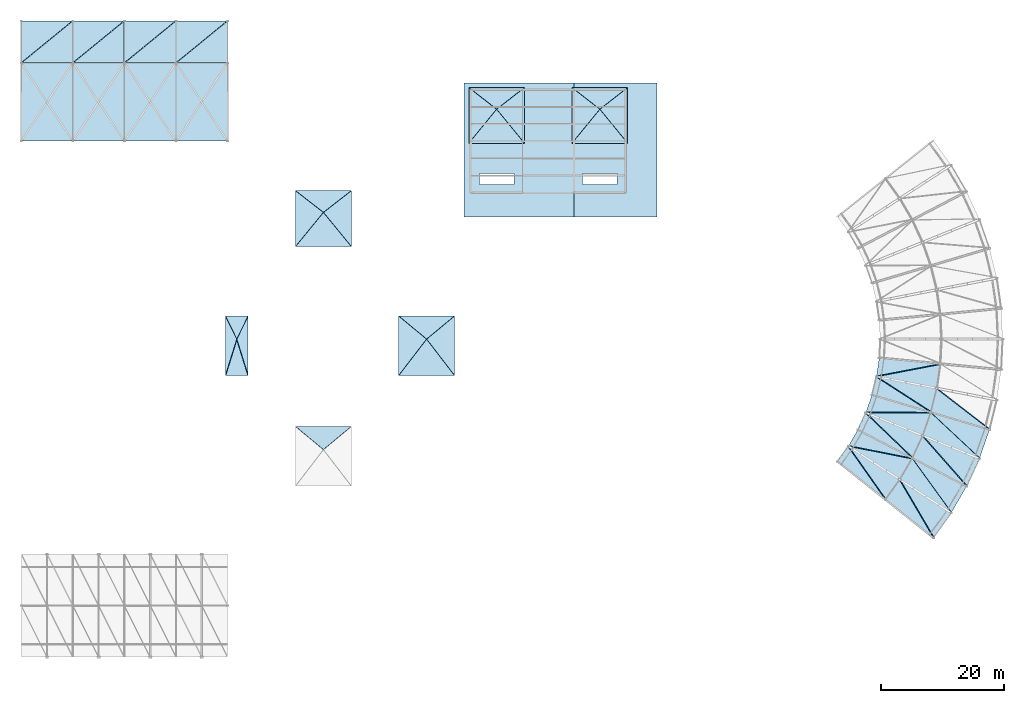
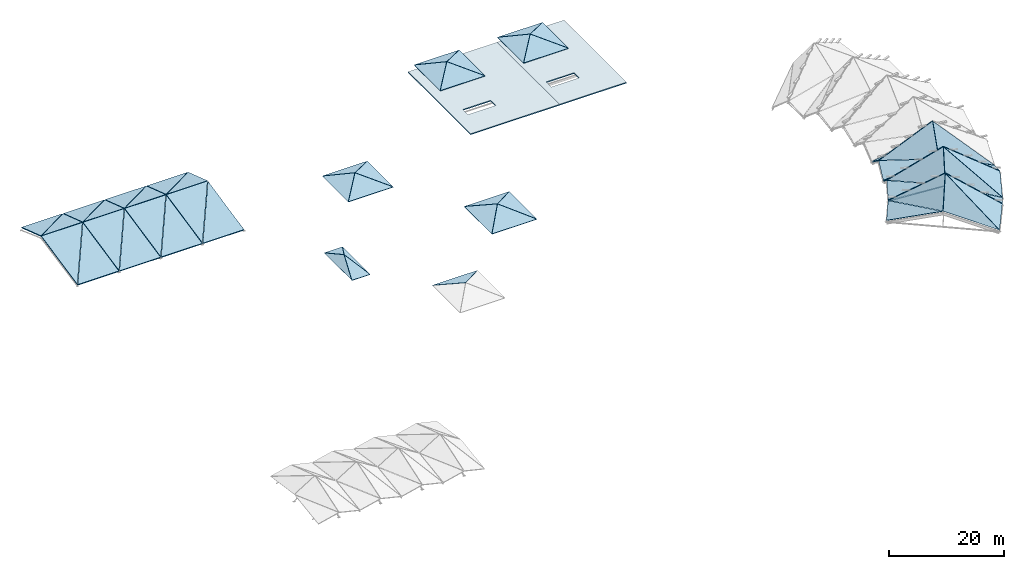
# One storey, part 5 of 10: 60 slabs.
"""IFC4 building model written with IfcOpenShell, lengths in metres."""

from ifc_helpers import new_model, si_unit, direction, frame, origin, place, context, subcontext, project, spatial, polyline, outline, extrude, material, layer, layer_set, type_object, element, save


model = new_model("IFC4")

# Units and contexts
model_context = context("Model", 3, precision=1e-05, world=origin(), true_north=direction((0.0, 1.0)))
body_context = subcontext(model_context, "Body", "Model", "MODEL_VIEW")
ifc_project = project(units=[si_unit("LENGTHUNIT", "METRE"), si_unit("AREAUNIT", "SQUARE_METRE"), si_unit("VOLUMEUNIT", "CUBIC_METRE"), si_unit("PLANEANGLEUNIT", "RADIAN"), si_unit("MASSUNIT", "GRAM", prefix="KILO")], contexts=[model_context])

# Site, building, storey
site_placement = place(None, origin())
site = spatial("IfcSite", under=ifc_project, at=site_placement, CompositionType="ELEMENT")
building_placement = place(site_placement, origin())
building = spatial("IfcBuilding", under=site, at=building_placement, Name="Vanh Quang Courtyard School", CompositionType="ELEMENT")
storey_placement = place(building_placement, frame((0.0, 0.0, 25.800048828125)))
storey = spatial("IfcBuildingStorey", under=building, at=storey_placement, Name="ROOF", CompositionType="ELEMENT", Elevation=25.800048828125)

# Slabs
ifc_material_1 = material(Name="Precast concrete C40/50", Category="concrete")
ifc_layer_1 = layer(ifc_material_1, 0.18994140625)
ifc_layer_set_1 = layer_set([ifc_layer_1], Name="Precast concrete C40/50")
slab_type_1 = type_object("IfcSlabType", Name="SLB-FPR-190", PredefinedType="ROOF", material=ifc_layer_set_1)
slab_1_placement = place(storey_placement, frame((138.8486328125, 38.461181640625, -13.37646484375), z_axis=(-0.700881590222, -0.441790773897, 0.55998741824), x_axis=(0.574187527923, -0.815236088052, 0.075490420017)))
element("IfcSlab", 1, at=slab_1_placement, inside=storey, type_object=slab_type_1, Name="Slab SR-04 (ROOF)", PredefinedType="ROOF", context=body_context, shape_type="SweptSolid", body=[
    extrude(outline(polyline([(0.0, 0.0), (10.500996142205683, -1.1102230246251565e-15), (9.635059550462316, 6.56465550243642), (0.0, 0.0)])), origin(), (0.0, 0.0, -1.0), 0.18994140625),
])
slab_2_placement = place(storey_placement, frame((147.248779296875, 32.9990234375, -7.26513671875), z_axis=(0.203525098116, -0.582476826404, 0.786955069327), x_axis=(0.401016539602, -0.683668606633, -0.609740085012)))
element("IfcSlab", 2, at=slab_2_placement, inside=storey, type_object=slab_type_1, Name="Slab SR-04 (ROOF)", PredefinedType="ROOF", context=body_context, shape_type="SweptSolid", body=[
    extrude(outline(polyline([(0.0, 0.0), (13.62565078624775, -1.1102230246251565e-16), (10.748255259177776, 4.461264059813108), (0.0, 0.0)])), origin(), (0.0, 0.0, -1.0), 0.18994140625),
])
slab_3_placement = place(storey_placement, frame((138.94287109375, 38.6064453125, -13.37646484375), z_axis=(0.118525912674, 0.819971778665, 0.559998116263), x_axis=(0.712781559418, -0.462902821836, 0.526937781991)))
element("IfcSlab", 3, at=slab_3_placement, inside=storey, type_object=slab_type_1, Name="Slab SR-04 (ROOF)", PredefinedType="ROOF", context=body_context, shape_type="SweptSolid", body=[
    extrude(outline(polyline([(0.0, 0.0), (11.658975494766853, -4.440892098500626e-16), (8.678270419461292, 5.912757445616652), (0.0, 0.0)])), origin(), (0.0, 0.0, -1.0), 0.18994140625),
])
slab_4_placement = place(storey_placement, frame((149.3095703125, 36.5302734375, -12.616455078125), z_axis=(0.413027694116, 0.21910353835, 0.883969322644), x_axis=(0.584869688931, -0.80783168445, -0.07304393588)))
element("IfcSlab", 4, at=slab_4_placement, inside=storey, type_object=slab_type_1, Name="Slab SR-04 (ROOF)", PredefinedType="ROOF", context=body_context, shape_type="SweptSolid", body=[
    extrude(outline(polyline([(0.0, 0.0), (10.835997495368268, 4.440892098500626e-16), (9.039863910290002, 4.997165371117097), (0.0, 0.0)])), origin(), (0.0, 0.0, -1.0), 0.18994140625),
])
slab_5_placement = place(storey_placement, frame((141.701904296875, 43.906494140625, -13.37646484375), z_axis=(-0.603719734411, -0.567412053958, 0.559969680702), x_axis=(0.719185332654, -0.690705277294, 0.075489583472)))
element("IfcSlab", 5, at=slab_5_placement, inside=storey, type_object=slab_type_1, Name="Slab SR-04 (ROOF)", PredefinedType="ROOF", context=body_context, shape_type="SweptSolid", body=[
    extrude(outline(polyline([(0.0, 0.0), (10.501112510009039, -5.551115123125783e-16), (9.63512130685168, 6.5645632262325355), (0.0, 0.0)])), origin(), (0.0, 0.0, -1.0), 0.18994140625),
])
slab_6_placement = place(storey_placement, frame((150.989990234375, 40.147216796875, -7.26513671875), z_axis=(0.310918808556, -0.532962963755, 0.786943437454), x_axis=(0.52410309091, -0.594574798827, -0.609751390895)))
element("IfcSlab", 6, at=slab_6_placement, inside=storey, type_object=slab_type_1, Name="Slab SR-04 (ROOF)", PredefinedType="ROOF", context=body_context, shape_type="SweptSolid", body=[
    extrude(outline(polyline([(0.0, 0.0), (13.625398142273319, -2.220446049250313e-16), (10.748234450554643, 4.461286115618591), (0.0, 0.0)])), origin(), (0.0, 0.0, -1.0), 0.18994140625),
])
slab_7_placement = place(storey_placement, frame((141.7666015625, 44.06689453125, -13.37646484375), z_axis=(-0.040119085618, 0.827513546002, 0.560010526822), x_axis=(0.788014193999, -0.318392746061, 0.52693423623)))
element("IfcSlab", 7, at=slab_7_placement, inside=storey, type_object=slab_type_1, Name="Slab SR-04 (ROOF)", PredefinedType="ROOF", context=body_context, shape_type="SweptSolid", body=[
    extrude(outline(polyline([(0.0, 0.0), (11.659053948469895, -4.440892098500626e-16), (8.678333640066274, 5.912834932534518), (0.0, 0.0)])), origin(), (0.0, 0.0, -1.0), 0.18994140625),
])
slab_8_placement = place(storey_placement, frame((152.339111328125, 44.0068359375, -12.616455078125), z_axis=(0.363628879191, 0.293889806214, 0.883969920315), x_axis=(0.728271009756, -0.681385352929, -0.073043392329)))
element("IfcSlab", 8, at=slab_8_placement, inside=storey, type_object=slab_type_1, Name="Slab SR-04 (ROOF)", PredefinedType="ROOF", context=body_context, shape_type="SweptSolid", body=[
    extrude(outline(polyline([(0.0, 0.0), (10.836078131326275, -2.220446049250313e-16), (9.0398004471381, 4.997197498557248), (0.0, 0.0)])), origin(), (0.0, 0.0, -1.0), 0.18994140625),
])
slab_9_placement = place(storey_placement, frame((143.463623046875, 49.7958984375, -13.37646484375), z_axis=(-0.48434413413, -0.672163151778, 0.560006658108), x_axis=(0.837769007639, -0.54078112665, 0.075490813338)))
element("IfcSlab", 9, at=slab_9_placement, inside=storey, type_object=slab_type_1, Name="Slab SR-04 (ROOF)", PredefinedType="ROOF", context=body_context, shape_type="SweptSolid", body=[
    extrude(outline(polyline([(0.0, 0.0), (10.500941430189803, -1.1102230246251565e-16), (9.635217937981341, 6.564740610073416), (0.0, 0.0)])), origin(), (0.0, 0.0, -1.0), 0.18994140625),
])
slab_10_placement = place(storey_placement, frame((143.49658203125, 49.9658203125, -13.37646484375), z_axis=(-0.1972792795, 0.804678686951, 0.559975978633), x_axis=(0.834286140912, -0.16216239239, 0.526944013702)))
element("IfcSlab", 10, at=slab_10_placement, inside=storey, type_object=slab_type_1, Name="Slab SR-04 (ROOF)", PredefinedType="ROOF", context=body_context, shape_type="SweptSolid", body=[
    extrude(outline(polyline([(0.0, 0.0), (11.658837614146396, 8.881784197001252e-16), (8.678458182763876, 5.912864964114334), (0.0, 0.0)])), origin(), (0.0, 0.0, -1.0), 0.18994140625),
])
slab_11_placement = place(storey_placement, frame((4.236083984375, 88.319580078125, -14.374755859375), z_axis=(0.0, -0.207329205121, 0.978271230643), x_axis=(0.542035507525, 0.822095691932, 0.174230255376)))
element("IfcSlab", 11, at=slab_11_placement, inside=storey, type_object=slab_type_1, Name="Slab SR-04 (ROOF)", PredefinedType="ROOF", context=body_context, shape_type="SweptSolid", body=[
    extrude(outline(polyline([(0.0, 0.0), (15.308686326455865, 5.551115123125783e-16), (10.810956143409893, 6.973145900796925), (0.0, 0.0)])), origin(), (0.0, 0.0, -1.0), 0.18994140625),
])
slab_12_placement = place(storey_placement, frame((4.236083984375, 101.014404296875, -11.72509765625), z_axis=(0.0, 0.317893545101, 0.948126412449), x_axis=(0.757670175346, 0.618782996043, -0.207469297003)))
element("IfcSlab", 12, at=slab_12_placement, inside=storey, type_object=slab_type_1, Name="Slab SR-04 (ROOF)", PredefinedType="ROOF", context=body_context, shape_type="SweptSolid", body=[
    extrude(outline(polyline([(0.0, 0.0), (10.910876489692956, -9.992007221626409e-16), (4.647334056247314, 5.395254772826035), (0.0, 0.0)])), origin(), (0.0, 0.0, -1.0), 0.18994140625),
])
slab_13_placement = place(storey_placement, frame((12.635986328125, 88.319580078125, -14.374755859375), z_axis=(0.0, -0.207329205121, 0.978271230643), x_axis=(0.542035507525, 0.822095691932, 0.174230255376)))
element("IfcSlab", 13, at=slab_13_placement, inside=storey, type_object=slab_type_1, Name="Slab SR-04 (ROOF)", PredefinedType="ROOF", context=body_context, shape_type="SweptSolid", body=[
    extrude(outline(polyline([(0.0, 0.0), (15.308686326455865, 5.551115123125783e-16), (10.810956143409893, 6.973145900796925), (0.0, 0.0)])), origin(), (0.0, 0.0, -1.0), 0.18994140625),
])
slab_14_placement = place(storey_placement, frame((12.635986328125, 101.014404296875, -11.72509765625), z_axis=(0.0, 0.317893545101, 0.948126412449), x_axis=(0.757679705801, 0.618772505588, -0.207465779699)))
element("IfcSlab", 14, at=slab_14_placement, inside=storey, type_object=slab_type_1, Name="Slab SR-04 (ROOF)", PredefinedType="ROOF", context=body_context, shape_type="SweptSolid", body=[
    extrude(outline(polyline([(0.0, 0.0), (10.911061468926505, 6.661338147750939e-16), (4.647255268285739, 5.395322637752879), (0.0, 0.0)])), origin(), (0.0, 0.0, -1.0), 0.18994140625),
])
slab_15_placement = place(storey_placement, frame((21.035888671875, 88.319580078125, -14.374755859375), z_axis=(0.0, -0.207329205121, 0.978271230643), x_axis=(0.54204676971, 0.822088585478, 0.174228749274)))
element("IfcSlab", 15, at=slab_15_placement, inside=storey, type_object=slab_type_1, Name="Slab SR-04 (ROOF)", PredefinedType="ROOF", context=body_context, shape_type="SweptSolid", body=[
    extrude(outline(polyline([(0.0, 0.0), (15.308818660718227, 8.326672684688674e-16), (10.810862690091357, 6.973290785886079), (0.0, 0.0)])), origin(), (0.0, 0.0, -1.0), 0.18994140625),
])
slab_16_placement = place(storey_placement, frame((21.035888671875, 101.014404296875, -11.72509765625), z_axis=(0.0, 0.317893545101, 0.948126412449), x_axis=(0.757679705801, 0.618772505588, -0.207465779699)))
element("IfcSlab", 16, at=slab_16_placement, inside=storey, type_object=slab_type_1, Name="Slab SR-04 (ROOF)", PredefinedType="ROOF", context=body_context, shape_type="SweptSolid", body=[
    extrude(outline(polyline([(0.0, 0.0), (10.911061468926505, 6.661338147750939e-16), (4.647255268285739, 5.395322637752879), (0.0, 0.0)])), origin(), (0.0, 0.0, -1.0), 0.18994140625),
])
slab_17_placement = place(storey_placement, frame((29.43603515625, 88.319580078125, -14.374755859375), z_axis=(0.0, -0.207329205121, 0.978271230643), x_axis=(0.542035507525, 0.822095691932, 0.174230255376)))
element("IfcSlab", 17, at=slab_17_placement, inside=storey, type_object=slab_type_1, Name="Slab SR-04 (ROOF)", PredefinedType="ROOF", context=body_context, shape_type="SweptSolid", body=[
    extrude(outline(polyline([(0.0, 0.0), (15.308686326455865, 5.551115123125783e-16), (10.810956143409893, 6.973145900796925), (0.0, 0.0)])), origin(), (0.0, 0.0, -1.0), 0.18994140625),
])
slab_18_placement = place(storey_placement, frame((29.43603515625, 101.014404296875, -11.72509765625), z_axis=(0.0, 0.317893545101, 0.948126412449), x_axis=(0.757670175346, 0.618782996043, -0.207469297003)))
element("IfcSlab", 18, at=slab_18_placement, inside=storey, type_object=slab_type_1, Name="Slab SR-04 (ROOF)", PredefinedType="ROOF", context=body_context, shape_type="SweptSolid", body=[
    extrude(outline(polyline([(0.0, 0.0), (10.910876489692956, -9.992007221626409e-16), (4.647334056247314, 5.395254772826035), (0.0, 0.0)])), origin(), (0.0, 0.0, -1.0), 0.18994140625),
])
ifc_layer_2 = layer(ifc_material_1, 0.199951171875)
ifc_layer_set_2 = layer_set([ifc_layer_2], Name="Precast concrete C40/50")
slab_type_2 = type_object("IfcSlabType", Name="SLB-FPR-200", PredefinedType="ROOF", material=ifc_layer_set_2)
slab_19_placement = place(storey_placement, frame((137.084228515625, 36.097900390625, -15.58056640625), z_axis=(-0.546800389854, -0.313203257226, 0.776474760258), x_axis=(0.749596913934, -0.596261646476, 0.287361297956)))
element("IfcSlab", 19, at=slab_19_placement, inside=storey, type_object=slab_type_2, Name="Slab SR-03 (ROOF)", PredefinedType="ROOF", context=body_context, shape_type="SweptSolid", body=[
    extrude(outline(polyline([(0.0, 0.0), (10.291989743545262, 2.220446049250313e-16), (0.4905619929686039, 3.6157064601428672), (0.0, 0.0)])), origin(), (0.0, 0.0, -1.0), 0.199951171875),
])
slab_20_placement = place(storey_placement, frame((144.908203125, 29.868896484375, -12.588134765625), z_axis=(-0.356692808077, -0.729606111029, 0.583476789097), x_axis=(0.749599965085, -0.596264109376, -0.287348228139)))
element("IfcSlab", 20, at=slab_20_placement, inside=storey, type_object=slab_type_2, Name="Slab SR-03 (ROOF)", PredefinedType="ROOF", context=body_context, shape_type="SweptSolid", body=[
    extrude(outline(polyline([(0.0, 0.0), (10.334939532206887, -4.440892098500626e-16), (-1.712720802013109, 6.389334266652474), (0.0, 0.0)])), origin(), (0.0, 0.0, -1.0), 0.199951171875),
])
slab_21_placement = place(storey_placement, frame((138.907958984375, 38.643310546875, -13.411865234375), z_axis=(0.063730031651, 0.626935766953, 0.77645993276), x_axis=(0.978296566414, -0.192962465933, 0.075507051887)))
element("IfcSlab", 21, at=slab_21_placement, inside=storey, type_object=slab_type_2, Name="Slab SR-03 (ROOF)", PredefinedType="ROOF", context=body_context, shape_type="SweptSolid", body=[
    extrude(outline(polyline([(0.0, 0.0), (10.446949518812612, 1.6653345369377348e-16), (0.7909547766071907, 3.561907041130726), (0.0, 0.0)])), origin(), (0.0, 0.0, -1.0), 0.199951171875),
])
slab_22_placement = place(storey_placement, frame((147.28759765625, 33.186767578125, -7.232177734375), z_axis=(0.701282489104, 0.458378320352, 0.545978191788), x_axis=(0.712795651011, -0.46288586102, -0.526933619698)))
element("IfcSlab", 22, at=slab_22_placement, inside=storey, type_object=slab_type_2, Name="Slab SR-03 (ROOF)", PredefinedType="ROOF", context=body_context, shape_type="SweptSolid", body=[
    extrude(outline(polyline([(0.0, 0.0), (11.660457559906558, -8.881784197001252e-16), (2.6589134986472747, 6.065140179348427), (0.0, 0.0)])), origin(), (0.0, 0.0, -1.0), 0.199951171875),
])
slab_23_placement = place(storey_placement, frame((140.4208984375, 41.25, -15.58056640625), z_axis=(-0.476990531407, -0.411780546357, 0.776477182272), x_axis=(0.849596055721, -0.44228050198, 0.287357790345)))
element("IfcSlab", 23, at=slab_23_placement, inside=storey, type_object=slab_type_2, Name="Slab SR-03 (ROOF)", PredefinedType="ROOF", context=body_context, shape_type="SweptSolid", body=[
    extrude(outline(polyline([(0.0, 0.0), (10.292115371912347, -2.220446049250313e-16), (0.49064707310085265, 3.6156759663226774), (0.0, 0.0)])), origin(), (0.0, 0.0, -1.0), 0.199951171875),
])
slab_24_placement = place(storey_placement, frame((149.289794921875, 36.628173828125, -12.588134765625), z_axis=(-0.210919470335, -0.784267329967, 0.583470420999), x_axis=(0.849603364383, -0.442270935298, -0.287350905724)))
element("IfcSlab", 24, at=slab_24_placement, inside=storey, type_object=slab_type_2, Name="Slab SR-03 (ROOF)", PredefinedType="ROOF", context=body_context, shape_type="SweptSolid", body=[
    extrude(outline(polyline([(0.0, 0.0), (10.334843229466802, 0.0), (-1.7129412660061025, 6.389212204363398), (0.0, 0.0)])), origin(), (0.0, 0.0, -1.0), 0.199951171875),
])
slab_25_placement = place(storey_placement, frame((141.725341796875, 44.096435546875, -13.411865234375), z_axis=(-0.057076193532, 0.627572322993, 0.776463320155), x_axis=(0.997141467197, -0.002734263421, 0.07550773602)))
element("IfcSlab", 25, at=slab_25_placement, inside=storey, type_object=slab_type_2, Name="Slab SR-03 (ROOF)", PredefinedType="ROOF", context=body_context, shape_type="SweptSolid", body=[
    extrude(outline(polyline([(0.0, 0.0), (10.446854864814837, 5.551115123125783e-17), (0.7909988063795491, 3.5619376257041475), (0.0, 0.0)])), origin(), (0.0, 0.0, -1.0), 0.199951171875),
])
slab_26_placement = place(storey_placement, frame((150.9921875, 40.339111328125, -7.232177734375), z_axis=(0.600937266291, 0.583756678712, 0.545987675723), x_axis=(0.788022538988, -0.318374756964, -0.52693262584)))
element("IfcSlab", 26, at=slab_26_placement, inside=storey, type_object=slab_type_2, Name="Slab SR-03 (ROOF)", PredefinedType="ROOF", context=body_context, shape_type="SweptSolid", body=[
    extrude(outline(polyline([(0.0, 0.0), (11.660479552932216, -8.881784197001252e-16), (2.658919765104662, 6.065205707781914), (0.0, 0.0)])), origin(), (0.0, 0.0, -1.0), 0.199951171875),
])
slab_27_placement = place(storey_placement, frame((142.712890625, 46.94384765625, -15.58056640625), z_axis=(-0.389632655229, -0.495187135537, 0.776515353858), x_axis=(0.918387631399, -0.272010305022, 0.287357882187)))
element("IfcSlab", 27, at=slab_27_placement, inside=storey, type_object=slab_type_2, Name="Slab SR-03 (ROOF)", PredefinedType="ROOF", context=body_context, shape_type="SweptSolid", body=[
    extrude(outline(polyline([(0.0, 0.0), (10.292112082458, -6.661338147750939e-16), (0.4910545663561212, 3.6158081699559155), (0.0, 0.0)])), origin(), (0.0, 0.0, -1.0), 0.199951171875),
])
slab_28_placement = place(storey_placement, frame((152.30078125, 44.099365234375, -12.588134765625), z_axis=(-0.057409531832, -0.810106297214, 0.583465451307), x_axis=(0.918382216579, -0.272039756312, -0.287347307726)))
element("IfcSlab", 28, at=slab_28_placement, inside=storey, type_object=slab_type_2, Name="Slab SR-03 (ROOF)", PredefinedType="ROOF", context=body_context, shape_type="SweptSolid", body=[
    extrude(outline(polyline([(0.0, 0.0), (10.334972636426995, -4.440892098500626e-16), (-1.7127631728128527, 6.389244131169068), (0.0, 0.0)])), origin(), (0.0, 0.0, -1.0), 0.199951171875),
])
slab_29_placement = place(storey_placement, frame((143.450439453125, 49.987060546875, -13.411865234375), z_axis=(-0.175762446337, 0.605146002618, 0.776470139782), x_axis=(0.979345995196, 0.187563675697, 0.075506882155)))
element("IfcSlab", 29, at=slab_29_placement, inside=storey, type_object=slab_type_2, Name="Slab SR-03 (ROOF)", PredefinedType="ROOF", context=body_context, shape_type="SweptSolid", body=[
    extrude(outline(polyline([(0.0, 0.0), (10.446973002456495, 2.220446049250313e-16), (0.7910420492358401, 3.5619893681336308), (0.0, 0.0)])), origin(), (0.0, 0.0, -1.0), 0.199951171875),
])
slab_30_placement = place(storey_placement, frame((4.26611328125, 88.235107421875, -14.392578125), z_axis=(0.0, -0.207329205121, 0.978271230643), x_axis=(1.0, 0.0, 0.0)))
element("IfcSlab", 30, at=slab_30_placement, inside=storey, type_object=slab_type_2, Name="Slab SR-03 (ROOF)", PredefinedType="ROOF", context=body_context, shape_type="SweptSolid", body=[
    extrude(outline(polyline([(0.0, 0.0), (8.2978515625, 0.0), (8.2978515625, 12.86474004745269), (0.0, 0.0)])), origin(), (0.0, 0.0, -1.0), 0.199951171875),
])
slab_31_placement = place(storey_placement, frame((4.297119140625, 100.97412109375, -11.71142578125), z_axis=(0.0, 0.317893545101, 0.948126412449), x_axis=(1.0, 0.0, 0.0)))
element("IfcSlab", 31, at=slab_31_placement, inside=storey, type_object=slab_type_2, Name="Slab SR-03 (ROOF)", PredefinedType="ROOF", context=body_context, shape_type="SweptSolid", body=[
    extrude(outline(polyline([(0.0, 0.0), (8.266845703125, 0.0), (8.266845703125, 7.120848818368371), (0.0, 0.0)])), origin(), (0.0, 0.0, -1.0), 0.199951171875),
])
slab_32_placement = place(storey_placement, frame((12.666015625, 88.235107421875, -14.392578125), z_axis=(0.0, -0.207329205121, 0.978271230643), x_axis=(1.0, 0.0, 0.0)))
element("IfcSlab", 32, at=slab_32_placement, inside=storey, type_object=slab_type_2, Name="Slab SR-03 (ROOF)", PredefinedType="ROOF", context=body_context, shape_type="SweptSolid", body=[
    extrude(outline(polyline([(0.0, 0.0), (8.298095703125, 0.0), (8.298095703125, 12.86474004745269), (0.0, 0.0)])), origin(), (0.0, 0.0, -1.0), 0.199951171875),
])
slab_33_placement = place(storey_placement, frame((12.697021484375, 100.97412109375, -11.71142578125), z_axis=(0.0, 0.317893545101, 0.948126412449), x_axis=(1.0, 0.0, 0.0)))
element("IfcSlab", 33, at=slab_33_placement, inside=storey, type_object=slab_type_2, Name="Slab SR-03 (ROOF)", PredefinedType="ROOF", context=body_context, shape_type="SweptSolid", body=[
    extrude(outline(polyline([(0.0, 0.0), (8.26708984375, 0.0), (8.26708984375, 7.120848818368371), (0.0, 0.0)])), origin(), (0.0, 0.0, -1.0), 0.199951171875),
])
slab_34_placement = place(storey_placement, frame((21.066162109375, 88.235107421875, -14.392578125), z_axis=(0.0, -0.207329205121, 0.978271230643), x_axis=(1.0, 0.0, 0.0)))
element("IfcSlab", 34, at=slab_34_placement, inside=storey, type_object=slab_type_2, Name="Slab SR-03 (ROOF)", PredefinedType="ROOF", context=body_context, shape_type="SweptSolid", body=[
    extrude(outline(polyline([(0.0, 0.0), (8.2978515625, 0.0), (8.2978515625, 12.86474004745269), (0.0, 0.0)])), origin(), (0.0, 0.0, -1.0), 0.199951171875),
])
slab_35_placement = place(storey_placement, frame((21.096923828125, 100.97412109375, -11.71142578125), z_axis=(0.0, 0.317893545101, 0.948126412449), x_axis=(1.0, 0.0, 0.0)))
element("IfcSlab", 35, at=slab_35_placement, inside=storey, type_object=slab_type_2, Name="Slab SR-03 (ROOF)", PredefinedType="ROOF", context=body_context, shape_type="SweptSolid", body=[
    extrude(outline(polyline([(0.0, 0.0), (8.26708984375, 0.0), (8.26708984375, 7.120848818368371), (0.0, 0.0)])), origin(), (0.0, 0.0, -1.0), 0.199951171875),
])
slab_36_placement = place(storey_placement, frame((29.466064453125, 88.235107421875, -14.392578125), z_axis=(0.0, -0.207329205121, 0.978271230643), x_axis=(1.0, 0.0, 0.0)))
element("IfcSlab", 36, at=slab_36_placement, inside=storey, type_object=slab_type_2, Name="Slab SR-03 (ROOF)", PredefinedType="ROOF", context=body_context, shape_type="SweptSolid", body=[
    extrude(outline(polyline([(0.0, 0.0), (8.2978515625, 0.0), (8.2978515625, 12.86474004745269), (0.0, 0.0)])), origin(), (0.0, 0.0, -1.0), 0.199951171875),
])
slab_37_placement = place(storey_placement, frame((29.4970703125, 100.97412109375, -11.71142578125), z_axis=(0.0, 0.317893545101, 0.948126412449), x_axis=(1.0, 0.0, 0.0)))
element("IfcSlab", 37, at=slab_37_placement, inside=storey, type_object=slab_type_2, Name="Slab SR-03 (ROOF)", PredefinedType="ROOF", context=body_context, shape_type="SweptSolid", body=[
    extrude(outline(polyline([(0.0, 0.0), (8.266845703125, 0.0), (8.266845703125, 7.120848818368371), (0.0, 0.0)])), origin(), (0.0, 0.0, -1.0), 0.199951171875),
])
ifc_material_2 = material(Name="Concrete C35/45", Category="concrete")
ifc_layer_3 = layer(ifc_material_2, 0.114990234375)
ifc_layer_set_3 = layer_set([ifc_layer_3], Name="Concrete C35/45")
slab_type_3 = type_object("IfcSlabType", Name="SLB-MON-180", PredefinedType="ROOF", material=ifc_layer_set_3)
slab_38_placement = place(storey_placement, frame((77.074951171875, 87.86181640625, 1.652587890625), z_axis=(0.0, -0.219430161044, 0.975628210142), x_axis=(1.0, 0.0, 0.0)))
element("IfcSlab", 38, at=slab_38_placement, inside=storey, type_object=slab_type_3, Name="Slab SR-02 (ROOF)", PredefinedType="ROOF", context=body_context, shape_type="SweptSolid", body=[
    extrude(outline(polyline([(0.0, 0.0), (9.050048828125, 0.0), (4.525146484375, 5.6654201800886375), (0.0, 0.0)])), origin(), (0.0, 0.0, -1.0), 0.114990234375),
])
slab_39_placement = place(storey_placement, frame((86.138427734375, 87.8828125, 1.653076171875), z_axis=(0.264901145802, 0.0, 0.964275574176), x_axis=(0.0, 1.0, 0.0)))
element("IfcSlab", 39, at=slab_39_placement, inside=storey, type_object=slab_type_3, Name="Slab SR-02 (ROOF)", PredefinedType="ROOF", context=body_context, shape_type="SweptSolid", body=[
    extrude(outline(polyline([(0.0, 0.0), (9.043212890625, 0.0), (5.523193359375, 4.689249252723992), (0.0, 0.0)])), origin(), (0.0, 0.0, -1.0), 0.114990234375),
])
slab_40_placement = place(storey_placement, frame((86.11669921875, 96.938720703125, 1.654052734375), z_axis=(0.0, 0.332758467104, 0.943012090363), x_axis=(-1.0, 0.0, 0.0)))
element("IfcSlab", 40, at=slab_40_placement, inside=storey, type_object=slab_type_3, Name="Slab SR-02 (ROOF)", PredefinedType="ROOF", context=body_context, shape_type="SweptSolid", body=[
    extrude(outline(polyline([(0.0, 0.0), (9.033203125, 0.0), (4.5166015625, 3.728598304499252), (0.0, 0.0)])), origin(), (0.0, 0.0, -1.0), 0.114990234375),
])
slab_41_placement = place(storey_placement, frame((77.0615234375, 96.926025390625, 1.653076171875), z_axis=(-0.264901145802, 0.0, 0.964275574176), x_axis=(0.0, -1.0, 0.0)))
element("IfcSlab", 41, at=slab_41_placement, inside=storey, type_object=slab_type_3, Name="Slab SR-02 (ROOF)", PredefinedType="ROOF", context=body_context, shape_type="SweptSolid", body=[
    extrude(outline(polyline([(0.0, 0.0), (9.043212890625, 0.0), (3.52001953125, 4.689249252723992), (0.0, 0.0)])), origin(), (0.0, 0.0, -1.0), 0.114990234375),
])
slab_42_placement = place(storey_placement, frame((93.875, 87.86181640625, 1.652587890625), z_axis=(0.0, -0.219430161044, 0.975628210142), x_axis=(1.0, 0.0, 0.0)))
element("IfcSlab", 42, at=slab_42_placement, inside=storey, type_object=slab_type_3, Name="Slab SR-02 (ROOF)", PredefinedType="ROOF", context=body_context, shape_type="SweptSolid", body=[
    extrude(outline(polyline([(0.0, 0.0), (9.050048828125, 0.0), (4.52490234375, 5.6654201800886375), (0.0, 0.0)])), origin(), (0.0, 0.0, -1.0), 0.114990234375),
])
slab_43_placement = place(storey_placement, frame((102.9384765625, 87.8828125, 1.653076171875), z_axis=(0.264901145802, 0.0, 0.964275574176), x_axis=(0.0, 1.0, 0.0)))
element("IfcSlab", 43, at=slab_43_placement, inside=storey, type_object=slab_type_3, Name="Slab SR-02 (ROOF)", PredefinedType="ROOF", context=body_context, shape_type="SweptSolid", body=[
    extrude(outline(polyline([(0.0, 0.0), (9.043212890625, 0.0), (5.523193359375, 4.689249252723992), (0.0, 0.0)])), origin(), (0.0, 0.0, -1.0), 0.114990234375),
])
slab_44_placement = place(storey_placement, frame((102.91650390625, 96.938720703125, 1.654052734375), z_axis=(0.0, 0.332758467104, 0.943012090363), x_axis=(-1.0, 0.0, 0.0)))
element("IfcSlab", 44, at=slab_44_placement, inside=storey, type_object=slab_type_3, Name="Slab SR-02 (ROOF)", PredefinedType="ROOF", context=body_context, shape_type="SweptSolid", body=[
    extrude(outline(polyline([(0.0, 0.0), (9.033203125, 0.0), (4.5166015625, 3.728598304499252), (0.0, 0.0)])), origin(), (0.0, 0.0, -1.0), 0.114990234375),
])
slab_45_placement = place(storey_placement, frame((93.861572265625, 96.926025390625, 1.653076171875), z_axis=(-0.264901145802, 0.0, 0.964275574176), x_axis=(0.0, -1.0, 0.0)))
element("IfcSlab", 45, at=slab_45_placement, inside=storey, type_object=slab_type_3, Name="Slab SR-02 (ROOF)", PredefinedType="ROOF", context=body_context, shape_type="SweptSolid", body=[
    extrude(outline(polyline([(0.0, 0.0), (9.043212890625, 0.0), (3.52001953125, 4.689249252723992), (0.0, 0.0)])), origin(), (0.0, 0.0, -1.0), 0.114990234375),
])
slab_46_placement = place(storey_placement, frame((48.875, 71.061767578125, -1.947509765625), z_axis=(0.0, -0.219430161044, 0.975628210142), x_axis=(1.0, 0.0, 0.0)))
element("IfcSlab", 46, at=slab_46_placement, inside=storey, type_object=slab_type_3, Name="Slab SR-02 (ROOF)", PredefinedType="ROOF", context=body_context, shape_type="SweptSolid", body=[
    extrude(outline(polyline([(0.0, 0.0), (9.050048828125, 0.0), (4.52490234375, 5.6654201800886375), (0.0, 0.0)])), origin(), (0.0, 0.0, -1.0), 0.114990234375),
])
slab_47_placement = place(storey_placement, frame((57.9384765625, 71.082763671875, -1.94677734375), z_axis=(0.264901145802, 0.0, 0.964275574176), x_axis=(0.0, 1.0, 0.0)))
element("IfcSlab", 47, at=slab_47_placement, inside=storey, type_object=slab_type_3, Name="Slab SR-02 (ROOF)", PredefinedType="ROOF", context=body_context, shape_type="SweptSolid", body=[
    extrude(outline(polyline([(0.0, 0.0), (9.043212890625, 0.0), (5.5234375, 4.689249252723992), (0.0, 0.0)])), origin(), (0.0, 0.0, -1.0), 0.114990234375),
])
slab_48_placement = place(storey_placement, frame((57.91650390625, 80.138671875, -1.946044921875), z_axis=(0.0, 0.332779014934, 0.943004839446), x_axis=(-1.0, 0.0, 0.0)))
element("IfcSlab", 48, at=slab_48_placement, inside=storey, type_object=slab_type_3, Name="Slab SR-02 (ROOF)", PredefinedType="ROOF", context=body_context, shape_type="SweptSolid", body=[
    extrude(outline(polyline([(0.0, 0.0), (9.033203125, 0.0), (4.5166015625, 3.728368077823222), (0.0, 0.0)])), origin(), (0.0, 0.0, -1.0), 0.114990234375),
])
slab_49_placement = place(storey_placement, frame((48.861572265625, 80.1259765625, -1.94677734375), z_axis=(-0.264901145802, 0.0, 0.964275574176), x_axis=(0.0, -1.0, 0.0)))
element("IfcSlab", 49, at=slab_49_placement, inside=storey, type_object=slab_type_3, Name="Slab SR-02 (ROOF)", PredefinedType="ROOF", context=body_context, shape_type="SweptSolid", body=[
    extrude(outline(polyline([(0.0, 0.0), (9.043212890625, 0.0), (3.519775390625, 4.689249252723992), (0.0, 0.0)])), origin(), (0.0, 0.0, -1.0), 0.114990234375),
])
slab_50_placement = place(storey_placement, frame((57.91796875, 41.738525390625, -1.9462890625), z_axis=(0.0, 0.314723086215, 0.949183532834), x_axis=(-1.0, 0.0, 0.0)))
element("IfcSlab", 50, at=slab_50_placement, inside=storey, type_object=slab_type_3, Name="Slab SR-02 (ROOF)", PredefinedType="ROOF", context=body_context, shape_type="SweptSolid", body=[
    extrude(outline(polyline([(0.0, 0.0), (9.035888671875, 0.0), (4.51806640625, 3.94381915997592), (0.0, 0.0)])), origin(), (0.0, 0.0, -1.0), 0.114990234375),
])
slab_51_placement = place(storey_placement, frame((37.46630859375, 50.061767578125, -1.947509765625), z_axis=(0.0, -0.206258315378, 0.978497576562), x_axis=(1.0, 0.0, 0.0)))
element("IfcSlab", 51, at=slab_51_placement, inside=storey, type_object=slab_type_3, Name="Slab SR-02 (ROOF)", PredefinedType="ROOF", context=body_context, shape_type="SweptSolid", body=[
    extrude(outline(polyline([(0.0, 0.0), (3.66748046875, 0.0), (1.833740234375, 6.007096827110998), (0.0, 0.0)])), origin(), (0.0, 0.0, -1.0), 0.114990234375),
])
slab_52_placement = place(storey_placement, frame((41.14013671875, 50.115966796875, -1.943359375), z_axis=(0.559845097942, 0.0, 0.82859728838), x_axis=(0.0, 1.0, 0.0)))
element("IfcSlab", 52, at=slab_52_placement, inside=storey, type_object=slab_type_3, Name="Slab SR-02 (ROOF)", PredefinedType="ROOF", context=body_context, shape_type="SweptSolid", body=[
    extrude(outline(polyline([(0.0, 0.0), (9.59033203125, 0.0), (5.86279296875, 2.2074674732235504), (0.0, 0.0)])), origin(), (0.0, 0.0, -1.0), 0.114990234375),
])
slab_53_placement = place(storey_placement, frame((41.131103515625, 59.738525390625, -1.9462890625), z_axis=(0.0, 0.314736908926, 0.949178949492), x_axis=(-1.0, 0.0, 0.0)))
element("IfcSlab", 53, at=slab_53_placement, inside=storey, type_object=slab_type_3, Name="Slab SR-02 (ROOF)", PredefinedType="ROOF", context=body_context, shape_type="SweptSolid", body=[
    extrude(outline(polyline([(0.0, 0.0), (3.662353515625, 0.0), (1.8310546875, 3.931234794550905), (0.0, 0.0)])), origin(), (0.0, 0.0, -1.0), 0.114990234375),
])
slab_54_placement = place(storey_placement, frame((37.4599609375, 59.706298828125, -1.943359375), z_axis=(-0.559845097942, 0.0, 0.82859728838), x_axis=(0.0, -1.0, 0.0)))
element("IfcSlab", 54, at=slab_54_placement, inside=storey, type_object=slab_type_3, Name="Slab SR-02 (ROOF)", PredefinedType="ROOF", context=body_context, shape_type="SweptSolid", body=[
    extrude(outline(polyline([(0.0, 0.0), (9.59033203125, 0.0), (3.7275390625, 2.2074674732235504), (0.0, 0.0)])), origin(), (0.0, 0.0, -1.0), 0.114990234375),
])
slab_55_placement = place(storey_placement, frame((65.674072265625, 50.061767578125, -1.947509765625), z_axis=(0.0, -0.206261525244, 0.978496899946), x_axis=(1.0, 0.0, 0.0)))
element("IfcSlab", 55, at=slab_55_placement, inside=storey, type_object=slab_type_3, Name="Slab SR-02 (ROOF)", PredefinedType="ROOF", context=body_context, shape_type="SweptSolid", body=[
    extrude(outline(polyline([(0.0, 0.0), (9.052001953125, 0.0), (4.52587890625, 6.028308971597672), (0.0, 0.0)])), origin(), (0.0, 0.0, -1.0), 0.114990234375),
])
slab_56_placement = place(storey_placement, frame((74.73828125, 50.08447265625, -1.94677734375), z_axis=(0.264887847361, 0.0, 0.964279227361), x_axis=(0.0, 1.0, 0.0)))
element("IfcSlab", 56, at=slab_56_placement, inside=storey, type_object=slab_type_3, Name="Slab SR-02 (ROOF)", PredefinedType="ROOF", context=body_context, shape_type="SweptSolid", body=[
    extrude(outline(polyline([(0.0, 0.0), (9.640625, 0.0), (5.8935546875, 4.6894846720113), (0.0, 0.0)])), origin(), (0.0, 0.0, -1.0), 0.114990234375),
])
slab_57_placement = place(storey_placement, frame((74.718017578125, 59.738525390625, -1.9462890625), z_axis=(0.0, 0.314723086215, 0.949183532834), x_axis=(-1.0, 0.0, 0.0)))
element("IfcSlab", 57, at=slab_57_placement, inside=storey, type_object=slab_type_3, Name="Slab SR-02 (ROOF)", PredefinedType="ROOF", context=body_context, shape_type="SweptSolid", body=[
    extrude(outline(polyline([(0.0, 0.0), (9.0361328125, 0.0), (4.51806640625, 3.9438191599759196), (0.0, 0.0)])), origin(), (0.0, 0.0, -1.0), 0.114990234375),
])
slab_58_placement = place(storey_placement, frame((65.66162109375, 59.72509765625, -1.94677734375), z_axis=(-0.264874550204, 0.0, 0.964282879997), x_axis=(0.0, -1.0, 0.0)))
element("IfcSlab", 58, at=slab_58_placement, inside=storey, type_object=slab_type_3, Name="Slab SR-02 (ROOF)", PredefinedType="ROOF", context=body_context, shape_type="SweptSolid", body=[
    extrude(outline(polyline([(0.0, 0.0), (9.640625, 0.0), (3.7470703125, 4.689720092190432), (0.0, 0.0)])), origin(), (0.0, 0.0, -1.0), 0.114990234375),
])
ifc_layer_4 = layer(ifc_material_2, 0.219970703125)
ifc_layer_set_4 = layer_set([ifc_layer_4], Name="Concrete C35/45")
slab_type_4 = type_object("IfcSlabType", Name="SLB-ROOF-220", PredefinedType="ROOF", material=ifc_layer_set_4)
slab_59_placement = place(storey_placement, frame((0.0, 0.0, -0.219970703125)))
element("IfcSlab", 59, at=slab_59_placement, inside=storey, type_object=slab_type_4, Name="Slab SR-01 (ROOF)", PredefinedType="ROOF", context=body_context, shape_type="SweptSolid", body=[
    extrude(outline(polyline([(94.199951171875, 75.89990234375), (94.199951171875, 97.699951171875), (76.300048828125, 97.699951171875), (76.300048828125, 75.89990234375), (94.199951171875, 75.89990234375)]), holes=[polyline([(78.780029296875, 81.179931640625), (78.780029296875, 82.97998046875), (84.419921875, 82.97998046875), (84.419921875, 81.179931640625), (78.780029296875, 81.179931640625)])]), origin(), (0.0, 0.0, 1.0), 0.219970703125),
])
slab_60_placement = place(storey_placement, frame((0.0, 0.0, -0.219970703125)))
element("IfcSlab", 60, at=slab_60_placement, inside=storey, type_object=slab_type_4, Name="Slab SR-01 (ROOF)", PredefinedType="ROOF", context=body_context, shape_type="SweptSolid", body=[
    extrude(outline(polyline([(107.699951171875, 97.699951171875), (94.199951171875, 97.699951171875), (94.199951171875, 75.89990234375), (107.699951171875, 75.89990234375), (107.699951171875, 97.699951171875)]), holes=[polyline([(95.580078125, 81.179931640625), (95.580078125, 82.97998046875), (101.219970703125, 82.97998046875), (101.219970703125, 81.179931640625), (95.580078125, 81.179931640625)])]), origin(), (0.0, 0.0, 1.0), 0.219970703125),
])

save(model, "model.ifc")
